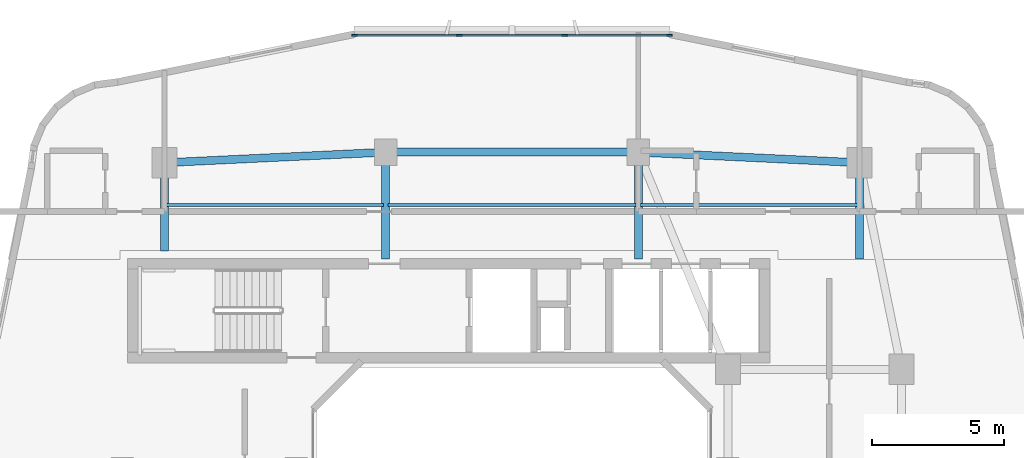
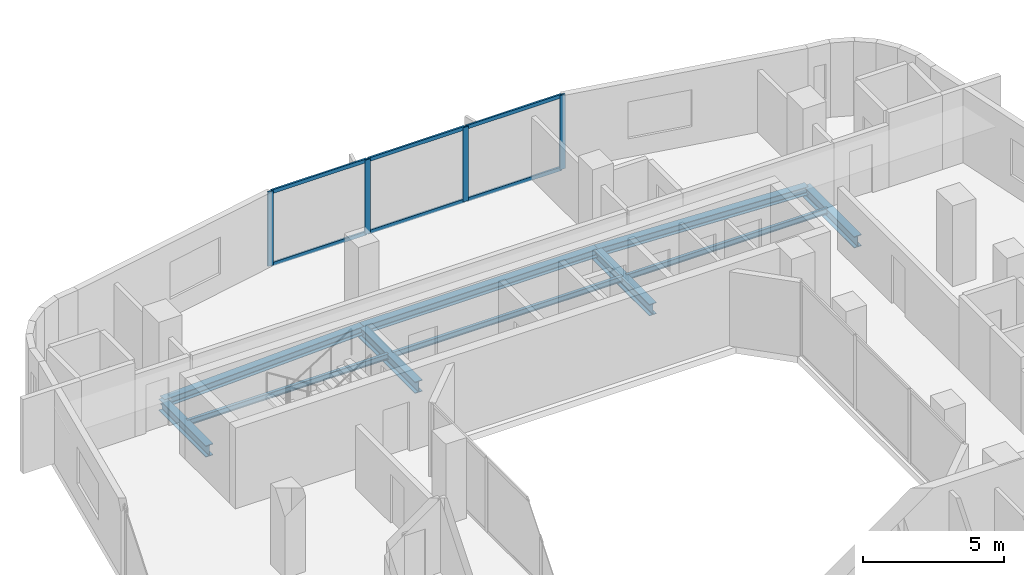
# One storey, part 7 of 26: 10 beams, 10 members, 1 element without a shape of its own.
"""IFC4 building model written with IfcOpenShell, lengths in metres."""

from ifc_helpers import new_model, si_unit, derived_unit, direction, frame, origin, origin_2d, place, context, subcontext, project, spatial, rectangle, i_section, extrude, material, layer, layer_set, material_profile, profile_set, type_object, element, aggregate, save


model = new_model("IFC4")

# Units and contexts
model_context = context("Model", 3, precision=1e-05, world=origin(), true_north=direction((0.0, 1.0)))
body_context = subcontext(model_context, "Body", "Model", "MODEL_VIEW")
ifc_project = project(units=[si_unit("LENGTHUNIT", "METRE"), si_unit("AREAUNIT", "SQUARE_METRE"), si_unit("VOLUMEUNIT", "CUBIC_METRE"), si_unit("PLANEANGLEUNIT", "RADIAN"), si_unit("MASSUNIT", "GRAM", prefix="KILO"), derived_unit("THERMALTRANSMITTANCEUNIT", [(si_unit("POWERUNIT", "WATT"), 1), (si_unit("LENGTHUNIT", "METRE"), -2), (si_unit("THERMODYNAMICTEMPERATUREUNIT", "KELVIN"), -1)])], contexts=[model_context])

# Site, building, storey
site_placement = place(None, origin())
site = spatial("IfcSite", under=ifc_project, at=site_placement, CompositionType="ELEMENT")
building_placement = place(site_placement, origin())
building = spatial("IfcBuilding", under=site, at=building_placement, Name="Kivonza Crest Hotel", CompositionType="ELEMENT")
storey_placement = place(building_placement, frame((0.0, 0.0, 127.5)))
storey = spatial("IfcBuildingStorey", under=building, at=storey_placement, Name="L34", CompositionType="ELEMENT", Elevation=127.5)

# Beams
ifc_material_1 = material(Name="Steel S355", Category="steel")
ifc_material_profile_1 = material_profile(ifc_material_1, i_section(OverallWidth=0.300048828125, OverallDepth=0.360107421875, WebThickness=0.012451171875, FlangeThickness=0.0224609375, FilletRadius=0.027099609375, at=origin_2d()), Name="HEB 360")
ifc_profile_set_1 = profile_set([ifc_material_profile_1], Name="Steel S355")
beam_type_1 = type_object("IfcBeamType", Name="BM-HEB360", PredefinedType="SPANDREL", material=ifc_profile_set_1)
beam_1_placement = place(storey_placement, frame((34.199951171875, 40.199951171875, -0.4599609375), z_axis=(-0.998867283688, 0.047583080799, 0.0), x_axis=(-0.047583080799, -0.998867283688, 0.0)))
element("IfcBeam", 1, at=beam_1_placement, inside=storey, type_object=beam_type_1, Name="Tower T1 L34 perimeter spandrel NE-N2", PredefinedType="SPANDREL", context=body_context, shape_type="SweptSolid", body=[
    extrude(i_section(OverallWidth=0.300048828125, OverallDepth=0.360107421875, WebThickness=0.012451171875, FlangeThickness=0.0224609375, FilletRadius=0.027099609375, at=origin_2d()), origin(), (0.0, 0.0, 1.0), 8.409423828125),
])
beam_2_placement = place(storey_placement, frame((25.800048828125, 40.60009765625, -0.4599609375), z_axis=(-1.0, 0.0, 0.0), x_axis=(0.0, -1.0, 0.0)))
element("IfcBeam", 2, at=beam_2_placement, inside=storey, type_object=beam_type_1, Name="Tower T1 L34 perimeter spandrel N2-N1", PredefinedType="SPANDREL", context=body_context, shape_type="SweptSolid", body=[
    extrude(i_section(OverallWidth=0.300048828125, OverallDepth=0.360107421875, WebThickness=0.012451171875, FlangeThickness=0.0224609375, FilletRadius=0.027099609375, at=origin_2d()), origin(), (0.0, 0.0, 1.0), 9.60009765625),
])
beam_3_placement = place(storey_placement, frame((16.199951171875, 40.60009765625, -0.4599609375), z_axis=(-0.998867283688, -0.047583080799, 0.0), x_axis=(0.047583080799, -0.998867283688, 0.0)))
element("IfcBeam", 3, at=beam_3_placement, inside=storey, type_object=beam_type_1, Name="Tower T1 L34 perimeter spandrel N1-NW", PredefinedType="SPANDREL", context=body_context, shape_type="SweptSolid", body=[
    extrude(i_section(OverallWidth=0.300048828125, OverallDepth=0.360107421875, WebThickness=0.012451171875, FlangeThickness=0.0224609375, FilletRadius=0.027099609375, at=origin_2d()), origin(), (0.0, 0.0, 1.0), 8.409423828125),
])
ifc_material_profile_2 = material_profile(ifc_material_1, i_section(OverallWidth=0.300048828125, OverallDepth=0.5, WebThickness=0.014404296875, FlangeThickness=0.028076171875, FilletRadius=0.027099609375, at=origin_2d()), Name="HEB 500")
ifc_profile_set_2 = profile_set([ifc_material_profile_2], Name="Steel S355")
beam_type_2 = type_object("IfcBeamType", Name="BM-HEB500", PredefinedType="BEAM", material=ifc_profile_set_2)
beam_4_placement = place(storey_placement, frame((7.800048828125, 40.199951171875, -0.530029296875), z_axis=(0.0, -1.0, 0.0), x_axis=(1.0, 0.0, 0.0)))
element("IfcBeam", 4, at=beam_4_placement, inside=storey, type_object=beam_type_2, Name="Tower T1 L34 radial core girder RNW", PredefinedType="BEAM", context=body_context, shape_type="SweptSolid", body=[
    extrude(i_section(OverallWidth=0.300048828125, OverallDepth=0.5, WebThickness=0.014404296875, FlangeThickness=0.028076171875, FilletRadius=0.027099609375, at=origin_2d()), origin(), (0.0, 0.0, 1.0), 3.349853515625),
])
for number, where, z_axis, x_axis, name in (
    (5, (16.199951171875, 40.60009765625, -0.530029296875), (0.0, -1.0, 0.0), (1.0, 0.0, 0.0), "Tower T1 L34 radial core girder RN1"),
    (6, (25.800048828125, 40.60009765625, -0.530029296875), (0.0, -1.0, 0.0), (1.0, 0.0, 0.0), "Tower T1 L34 radial core girder RN2"),
):
    element("IfcBeam", number, at=place(storey_placement, frame(where, z_axis=z_axis, x_axis=x_axis)), inside=storey, type_object=beam_type_2, Name=name, PredefinedType="BEAM", context=body_context, shape_type="SweptSolid", body=[
        extrude(i_section(OverallWidth=0.300048828125, OverallDepth=0.5, WebThickness=0.014404296875, FlangeThickness=0.028076171875, FilletRadius=0.027099609375, at=origin_2d()), origin(), (0.0, 0.0, 1.0), 4.050048828125),
    ])
beam_5_placement = place(storey_placement, frame((34.199951171875, 40.199951171875, -0.530029296875), z_axis=(0.0, -1.0, 0.0), x_axis=(1.0, 0.0, 0.0)))
element("IfcBeam", 7, at=beam_5_placement, inside=storey, type_object=beam_type_2, Name="Tower T1 L34 radial core girder RNE", PredefinedType="BEAM", context=body_context, shape_type="SweptSolid", body=[
    extrude(i_section(OverallWidth=0.300048828125, OverallDepth=0.5, WebThickness=0.014404296875, FlangeThickness=0.028076171875, FilletRadius=0.027099609375, at=origin_2d()), origin(), (0.0, 0.0, 1.0), 3.64990234375),
])
ifc_material_profile_3 = material_profile(ifc_material_1, i_section(OverallWidth=0.1201171875, OverallDepth=0.239990234375, WebThickness=0.006103515625, FlangeThickness=0.009765625, FilletRadius=0.014892578125, at=origin_2d()), Name="IPE 240")
ifc_profile_set_3 = profile_set([ifc_material_profile_3], Name="Steel S355")
beam_type_3 = type_object("IfcBeamType", Name="BM-IPE240", PredefinedType="JOIST", material=ifc_profile_set_3)
beam_6_placement = place(storey_placement, frame((7.8798828125, 38.60009765625, -0.39990234375), z_axis=(1.0, 0.0, 0.0), x_axis=(0.0, 1.0, 0.0)))
element("IfcBeam", 8, at=beam_6_placement, inside=storey, type_object=beam_type_3, Name="Tower T1 L34 North-West floor joist", PredefinedType="JOIST", context=body_context, shape_type="SweptSolid", body=[
    extrude(i_section(OverallWidth=0.1201171875, OverallDepth=0.239990234375, WebThickness=0.006103515625, FlangeThickness=0.009765625, FilletRadius=0.014892578125, at=origin_2d()), origin(), (0.0, 0.0, 1.0), 8.240234375),
])
beam_7_placement = place(storey_placement, frame((16.280029296875, 38.60009765625, -0.39990234375), z_axis=(1.0, 0.0, 0.0), x_axis=(0.0, 1.0, 0.0)))
element("IfcBeam", 9, at=beam_7_placement, inside=storey, type_object=beam_type_3, Name="Tower T1 L34 North-Mid floor joist", PredefinedType="JOIST", context=body_context, shape_type="SweptSolid", body=[
    extrude(i_section(OverallWidth=0.1201171875, OverallDepth=0.239990234375, WebThickness=0.006103515625, FlangeThickness=0.009765625, FilletRadius=0.014892578125, at=origin_2d()), origin(), (0.0, 0.0, 1.0), 9.43994140625),
])
beam_8_placement = place(storey_placement, frame((25.8798828125, 38.60009765625, -0.39990234375), z_axis=(1.0, 0.0, 0.0), x_axis=(0.0, 1.0, 0.0)))
element("IfcBeam", 10, at=beam_8_placement, inside=storey, type_object=beam_type_3, Name="Tower T1 L34 North-East floor joist", PredefinedType="JOIST", context=body_context, shape_type="SweptSolid", body=[
    extrude(i_section(OverallWidth=0.1201171875, OverallDepth=0.239990234375, WebThickness=0.006103515625, FlangeThickness=0.009765625, FilletRadius=0.014892578125, at=origin_2d()), origin(), (0.0, 0.0, 1.0), 8.240234375),
])

# Curtain wall, members
ifc_material_2 = material(Name="Anodised bronze aluminium and low-E double glazing", Category="aluminium")
ifc_layer = layer(ifc_material_2, 0.179931640625)
ifc_layer_set = layer_set([ifc_layer], Name="Anodised bronze aluminium and low-E double glazing")
curtain_wall_type = type_object("IfcCurtainWallType", Name="CW-SYS-3", PredefinedType="NOTDEFINED", material=ifc_layer_set)
curtain_wall_placement = place(storey_placement, origin())
curtain_wall = element("IfcCurtainWall", 11, at=curtain_wall_placement, inside=storey, type_object=curtain_wall_type, Name="L34 unitised curtain wall CW-T1-L34-26", PredefinedType="NOTDEFINED")
ifc_material_3 = material(Name="Anodised bronze aluminium", Category="aluminium")
ifc_material_profile_4 = material_profile(ifc_material_3, rectangle(XDim=0.074951171875, YDim=0.219970703125, at=origin_2d()), Name="CW-M 75x220")
ifc_profile_set_4 = profile_set([ifc_material_profile_4], Name="Anodised bronze aluminium")
member_type_1 = type_object("IfcMemberType", Name="CW-MUL-75x220", PredefinedType="MULLION", material=ifc_profile_set_4)
member_1_placement = place(storey_placement, frame((26.982421875, 45.0400390625, 0.0), z_axis=(0.0, 0.0, 1.0), x_axis=(0.0, -1.0, 0.0)))
member_1 = element("IfcMember", 12, at=member_1_placement, type_object=member_type_1, Name="CW-3 mullion 1", PredefinedType="MULLION", context=body_context, shape_type="SweptSolid", body=[
    extrude(rectangle(XDim=0.074951171875, YDim=0.219970703125, at=origin_2d()), origin(), (0.0, 0.0, 1.0), 3.219970703125),
])
member_2_placement = place(storey_placement, frame((23.006591796875, 45.0400390625, 0.0), z_axis=(0.0, 0.0, 1.0), x_axis=(0.0, -1.0, 0.0)))
member_2 = element("IfcMember", 13, at=member_2_placement, type_object=member_type_1, Name="CW-3 mullion 2", PredefinedType="MULLION", context=body_context, shape_type="SweptSolid", body=[
    extrude(rectangle(XDim=0.074951171875, YDim=0.219970703125, at=origin_2d()), origin(), (0.0, 0.0, 1.0), 3.219970703125),
])
member_3_placement = place(storey_placement, frame((18.993408203125, 45.0400390625, 0.0), z_axis=(0.0, 0.0, 1.0), x_axis=(0.0, -1.0, 0.0)))
member_3 = element("IfcMember", 14, at=member_3_placement, type_object=member_type_1, Name="CW-3 mullion 3", PredefinedType="MULLION", context=body_context, shape_type="SweptSolid", body=[
    extrude(rectangle(XDim=0.074951171875, YDim=0.219970703125, at=origin_2d()), origin(), (0.0, 0.0, 1.0), 3.219970703125),
])
member_4_placement = place(storey_placement, frame((15.017578125, 45.0400390625, 0.0), z_axis=(0.0, 0.0, 1.0), x_axis=(0.0, -1.0, 0.0)))
member_4 = element("IfcMember", 15, at=member_4_placement, type_object=member_type_1, Name="CW-3 mullion 4", PredefinedType="MULLION", context=body_context, shape_type="SweptSolid", body=[
    extrude(rectangle(XDim=0.074951171875, YDim=0.219970703125, at=origin_2d()), origin(), (0.0, 0.0, 1.0), 3.219970703125),
])
ifc_material_profile_5 = material_profile(ifc_material_3, rectangle(XDim=0.074951171875, YDim=0.159912109375, at=origin_2d()), Name="CW-T 75x160")
ifc_profile_set_5 = profile_set([ifc_material_profile_5], Name="Anodised bronze aluminium")
member_type_2 = type_object("IfcMemberType", Name="CW-TRN-75x160", PredefinedType="USERDEFINED", material=ifc_profile_set_5)
member_5_placement = place(storey_placement, frame((26.945068359375, 45.0400390625, 0.03759765625), z_axis=(-1.0, 0.0, 0.0), x_axis=(0.0, -1.0, 0.0)))
member_5 = element("IfcMember", 16, at=member_5_placement, type_object=member_type_2, Name="CW-3 transom 1.1", ObjectType="TRANSOM", PredefinedType="USERDEFINED", context=body_context, shape_type="SweptSolid", body=[
    extrude(rectangle(XDim=0.074951171875, YDim=0.159912109375, at=origin_2d()), origin(), (0.0, 0.0, 1.0), 3.90087890625),
])
member_6_placement = place(storey_placement, frame((26.945068359375, 45.0400390625, 3.1826171875), z_axis=(-1.0, 0.0, 0.0), x_axis=(0.0, -1.0, 0.0)))
member_6 = element("IfcMember", 17, at=member_6_placement, type_object=member_type_2, Name="CW-3 transom 1.2", ObjectType="TRANSOM", PredefinedType="USERDEFINED", context=body_context, shape_type="SweptSolid", body=[
    extrude(rectangle(XDim=0.074951171875, YDim=0.159912109375, at=origin_2d()), origin(), (0.0, 0.0, 1.0), 3.90087890625),
])
member_7_placement = place(storey_placement, frame((22.96923828125, 45.0400390625, 0.03759765625), z_axis=(-1.0, 0.0, 0.0), x_axis=(0.0, -1.0, 0.0)))
member_7 = element("IfcMember", 18, at=member_7_placement, type_object=member_type_2, Name="CW-3 transom 2.1", ObjectType="TRANSOM", PredefinedType="USERDEFINED", context=body_context, shape_type="SweptSolid", body=[
    extrude(rectangle(XDim=0.074951171875, YDim=0.159912109375, at=origin_2d()), origin(), (0.0, 0.0, 1.0), 3.9384765625),
])
member_8_placement = place(storey_placement, frame((22.96923828125, 45.0400390625, 3.1826171875), z_axis=(-1.0, 0.0, 0.0), x_axis=(0.0, -1.0, 0.0)))
member_8 = element("IfcMember", 19, at=member_8_placement, type_object=member_type_2, Name="CW-3 transom 2.2", ObjectType="TRANSOM", PredefinedType="USERDEFINED", context=body_context, shape_type="SweptSolid", body=[
    extrude(rectangle(XDim=0.074951171875, YDim=0.159912109375, at=origin_2d()), origin(), (0.0, 0.0, 1.0), 3.9384765625),
])
member_9_placement = place(storey_placement, frame((18.955810546875, 45.0400390625, 0.03759765625), z_axis=(-1.0, 0.0, 0.0), x_axis=(0.0, -1.0, 0.0)))
member_9 = element("IfcMember", 20, at=member_9_placement, type_object=member_type_2, Name="CW-3 transom 3.1", ObjectType="TRANSOM", PredefinedType="USERDEFINED", context=body_context, shape_type="SweptSolid", body=[
    extrude(rectangle(XDim=0.074951171875, YDim=0.159912109375, at=origin_2d()), origin(), (0.0, 0.0, 1.0), 3.90087890625),
])
member_10_placement = place(storey_placement, frame((18.955810546875, 45.0400390625, 3.1826171875), z_axis=(-1.0, 0.0, 0.0), x_axis=(0.0, -1.0, 0.0)))
member_10 = element("IfcMember", 21, at=member_10_placement, type_object=member_type_2, Name="CW-3 transom 3.2", ObjectType="TRANSOM", PredefinedType="USERDEFINED", context=body_context, shape_type="SweptSolid", body=[
    extrude(rectangle(XDim=0.074951171875, YDim=0.159912109375, at=origin_2d()), origin(), (0.0, 0.0, 1.0), 3.90087890625),
])
aggregate(curtain_wall, [member_1, member_2, member_3, member_4, member_5, member_6, member_7, member_8, member_9, member_10])

save(model, "model.ifc")
